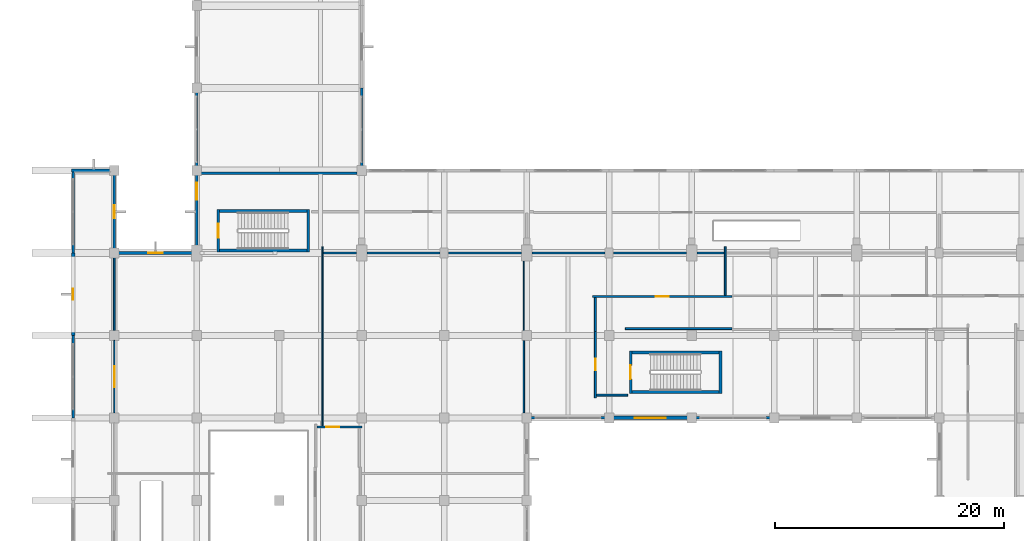
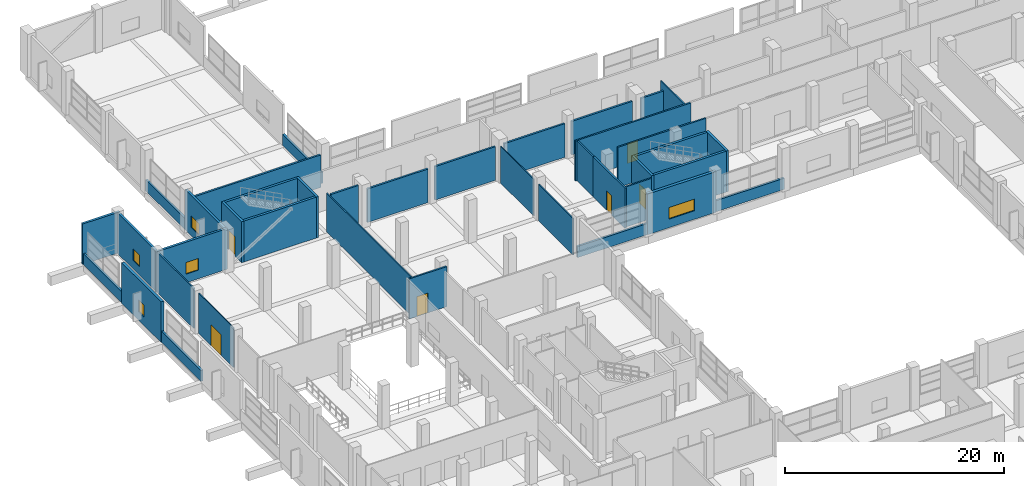
# One storey, part 161 of 181: 39 walls, 6 doors, 5 windows, 11 openings.
"""IFC4 building model written with IfcOpenShell, lengths in metres."""

from ifc_helpers import new_model, si_unit, direction, frame, frame_2d, origin, place, context, subcontext, project, spatial, rectangle, extrude, material, layer, layer_set, type_object, element, fill, save


model = new_model("IFC4")

# Units and contexts
model_context = context("Model", 3, precision=1e-05, world=origin(), true_north=direction((0.0, 1.0)))
body_context = subcontext(model_context, "Body", "Model", "MODEL_VIEW")
ifc_project = project(units=[si_unit("LENGTHUNIT", "METRE"), si_unit("AREAUNIT", "SQUARE_METRE"), si_unit("VOLUMEUNIT", "CUBIC_METRE"), si_unit("PLANEANGLEUNIT", "RADIAN"), si_unit("MASSUNIT", "GRAM", prefix="KILO")], contexts=[model_context])

# Site, building, storey
site_placement = place(None, origin())
site = spatial("IfcSite", under=ifc_project, at=site_placement, CompositionType="ELEMENT")
building_placement = place(site_placement, origin())
building = spatial("IfcBuilding", under=site, at=building_placement, Name="Seraya Terrace Polytechnic", CompositionType="ELEMENT")
storey_placement = place(building_placement, frame((0.0, 0.0, 4.800048828125)))
storey = spatial("IfcBuildingStorey", under=building, at=storey_placement, Name="L01", CompositionType="ELEMENT", Elevation=4.800048828125)

# Wall, opening, window
ifc_material_1 = material(Name="Concrete C40/50", Category="concrete")
ifc_layer_1 = layer(ifc_material_1, 0.300048828125, Name="EW-01")
ifc_layer_set_1 = layer_set([ifc_layer_1], Name="Concrete C40/50")
wall_type_1 = type_object("IfcWallType", Name="EW-01", PredefinedType="SOLIDWALL", material=ifc_layer_set_1)
wall_1_placement = place(storey_placement, frame((3.60009765625, 72.0, 0.0), z_axis=(0.0, 0.0, 1.0), x_axis=(0.0, 1.0, 0.0)))
wall_1 = element("IfcWall", 1, at=wall_1_placement, inside=storey, type_object=wall_type_1, Name="Exterior structural wall EW-01 L01", PredefinedType="SOLIDWALL", context=body_context, shape_type="SweptSolid", body=[
    extrude(rectangle(XDim=7.199951171875, YDim=0.300048828125, at=frame_2d((3.60009765625, 0.0))), origin(), (0.0, 0.0, 1.0), 4.52001953125),
])
opening_1_placement = place(wall_1_placement, frame((3.10009765625, 0.0, 0.949951171875)))
opening_1 = element("IfcOpeningElement", 2, at=opening_1_placement, cuts=wall_1, Name="Opening WN-01", PredefinedType="OPENING", context=body_context, shape_type="SweptSolid", body=[
    extrude(rectangle(XDim=1.0, YDim=1.300048828125, at=frame_2d((0.5, 0.64990234375))), frame((0.0, 0.162109375, 0.0), z_axis=(0.0, -1.0, 0.0), x_axis=(1.0, 0.0, 0.0)), (0.0, 0.0, 1.0), 0.323974609375),
])
ifc_material_2 = material(Name="Laminated solar-control Low-E double glazing", Category="glass")
window_type_1 = type_object("IfcWindowType", Name="WN-01", PartitioningType="SINGLE_PANEL", PredefinedType="WINDOW", material=ifc_material_2)
window_1_placement = place(opening_1_placement, origin())
window_1 = element("IfcWindow", 3, at=window_1_placement, inside=storey, type_object=window_type_1, Name="Exterior window WN-01 L01", OverallHeight=1.300048828125, OverallWidth=1.0, PartitioningType="SINGLE_PANEL", PredefinedType="WINDOW", context=body_context, shape_type="SweptSolid", body=[
    extrude(rectangle(XDim=1.0, YDim=1.300048828125, at=frame_2d((0.5, 0.64990234375))), frame((0.0, 0.030029296875, 0.0), z_axis=(0.0, -1.0, 0.0), x_axis=(1.0, 0.0, 0.0)), (0.0, 0.0, 1.0), 0.06005859375),
])
fill(opening_1, window_1)

wall_2_placement = place(storey_placement, frame((57.60009765625, 64.800048828125, 0.0), z_axis=(0.0, 0.0, 1.0), x_axis=(-1.0, 0.0, 0.0)))
wall_2 = element("IfcWall", 4, at=wall_2_placement, inside=storey, type_object=wall_type_1, Name="Exterior structural wall EW-01 L01", PredefinedType="SOLIDWALL", context=body_context, shape_type="SweptSolid", body=[
    extrude(rectangle(XDim=7.2001953125, YDim=0.300048828125, at=frame_2d((3.60009765625, 0.0))), origin(), (0.0, 0.0, 1.0), 4.52001953125),
])
opening_2_placement = place(wall_2_placement, frame((2.25, 0.0, 0.949951171875)))
opening_2 = element("IfcOpeningElement", 5, at=opening_2_placement, cuts=wall_2, Name="Opening WN-11", PredefinedType="OPENING", context=body_context, shape_type="SweptSolid", body=[
    extrude(rectangle(XDim=2.699951171875, YDim=1.300048828125, at=frame_2d((1.35009765625, 0.64990234375))), frame((0.0, 0.162109375, 0.0), z_axis=(0.0, -1.0, 0.0), x_axis=(1.0, 0.0, 0.0)), (0.0, 0.0, 1.0), 0.323974609375),
])
window_type_2 = type_object("IfcWindowType", Name="WN-11", PartitioningType="SINGLE_PANEL", PredefinedType="WINDOW", material=ifc_material_2)
window_2_placement = place(opening_2_placement, origin())
window_2 = element("IfcWindow", 6, at=window_2_placement, inside=storey, type_object=window_type_2, Name="Exterior window WN-11 L01", OverallHeight=1.300048828125, OverallWidth=2.699951171875, PartitioningType="SINGLE_PANEL", PredefinedType="WINDOW", context=body_context, shape_type="SweptSolid", body=[
    extrude(rectangle(XDim=2.699951171875, YDim=1.300048828125, at=frame_2d((1.35009765625, 0.64990234375))), frame((0.0, 0.030029296875, 0.0), z_axis=(0.0, -1.0, 0.0), x_axis=(1.0, 0.0, 0.0)), (0.0, 0.0, 1.0), 0.06005859375),
])
fill(opening_2, window_2)

# Wall
ifc_layer_2 = layer(ifc_material_1, 0.239990234375, Name="EW-04")
ifc_layer_set_2 = layer_set([ifc_layer_2], Name="Concrete C40/50")
wall_type_2 = type_object("IfcWallType", Name="EW-04", PredefinedType="SOLIDWALL", material=ifc_layer_set_2)
wall_3_placement = place(storey_placement, frame((3.449951171875, 86.39990234375, 0.0), z_axis=(0.0, 0.0, 1.0), x_axis=(1.0, 0.0, 0.0)))
element("IfcWall", 7, at=wall_3_placement, inside=storey, type_object=wall_type_2, Name="Exterior structural wall EW-04 L01", PredefinedType="SOLIDWALL", context=body_context, shape_type="SweptSolid", body=[
    extrude(rectangle(XDim=3.900146484375, YDim=0.239990234375, at=frame_2d((1.9501953125, 0.0))), origin(), (0.0, 0.0, 1.0), 4.52001953125),
])

# Wall, opening, window
wall_4_placement = place(storey_placement, frame((7.199951171875, 86.248046875, 0.0), z_axis=(0.0, 0.0, 1.0), x_axis=(0.0, -1.0, 0.0)))
wall_4 = element("IfcWall", 8, at=wall_4_placement, inside=storey, type_object=wall_type_2, Name="Exterior structural wall EW-04 L01", PredefinedType="SOLIDWALL", context=body_context, shape_type="SweptSolid", body=[
    extrude(rectangle(XDim=6.89599609375, YDim=0.239990234375, at=frame_2d((3.447998046875, 0.0))), origin(), (0.0, 0.0, 1.0), 4.52001953125),
])
opening_3_placement = place(wall_4_placement, frame((2.873046875, 0.0, 0.949951171875)))
opening_3 = element("IfcOpeningElement", 9, at=opening_3_placement, cuts=wall_4, Name="Opening WN-02", PredefinedType="OPENING", context=body_context, shape_type="SweptSolid", body=[
    extrude(rectangle(XDim=1.14990234375, YDim=1.300048828125, at=frame_2d((0.574951171875, 0.64990234375))), frame((0.0, 0.1318359375, 0.0), z_axis=(0.0, -1.0, 0.0), x_axis=(1.0, 0.0, 0.0)), (0.0, 0.0, 1.0), 0.263916015625),
])
window_type_3 = type_object("IfcWindowType", Name="WN-02", PartitioningType="SINGLE_PANEL", PredefinedType="WINDOW", material=ifc_material_2)
window_3_placement = place(opening_3_placement, origin())
window_3 = element("IfcWindow", 10, at=window_3_placement, inside=storey, type_object=window_type_3, Name="Exterior window WN-02 L01", OverallHeight=1.300048828125, OverallWidth=1.14990234375, PartitioningType="SINGLE_PANEL", PredefinedType="WINDOW", context=body_context, shape_type="SweptSolid", body=[
    extrude(rectangle(XDim=1.14990234375, YDim=1.300048828125, at=frame_2d((0.574951171875, 0.64990234375))), frame((0.0, 0.030029296875, 0.0), z_axis=(0.0, -1.0, 0.0), x_axis=(1.0, 0.0, 0.0)), (0.0, 0.0, 1.0), 0.06005859375),
])
fill(opening_3, window_3)

wall_5_placement = place(storey_placement, frame((7.050048828125, 79.199951171875, 0.0), z_axis=(0.0, 0.0, 1.0), x_axis=(1.0, 0.0, 0.0)))
wall_5 = element("IfcWall", 11, at=wall_5_placement, inside=storey, type_object=wall_type_2, Name="Exterior structural wall EW-04 L01", PredefinedType="SOLIDWALL", context=body_context, shape_type="SweptSolid", body=[
    extrude(rectangle(XDim=7.5, YDim=0.239990234375, at=frame_2d((3.75, 0.0))), origin(), (0.0, 0.0, 1.0), 4.52001953125),
])
opening_4_placement = place(wall_5_placement, frame((3.10009765625, 0.0, 0.949951171875)))
opening_4 = element("IfcOpeningElement", 12, at=opening_4_placement, cuts=wall_5, Name="Opening WN-03", PredefinedType="OPENING", context=body_context, shape_type="SweptSolid", body=[
    extrude(rectangle(XDim=1.300048828125, YDim=1.300048828125, at=frame_2d((0.64990234375, 0.64990234375))), frame((0.0, 0.1318359375, 0.0), z_axis=(0.0, -1.0, 0.0), x_axis=(1.0, 0.0, 0.0)), (0.0, 0.0, 1.0), 0.263916015625),
])
window_type_4 = type_object("IfcWindowType", Name="WN-03", PartitioningType="SINGLE_PANEL", PredefinedType="WINDOW", material=ifc_material_2)
window_4_placement = place(opening_4_placement, origin())
window_4 = element("IfcWindow", 13, at=window_4_placement, inside=storey, type_object=window_type_4, Name="Exterior window WN-03 L01", OverallHeight=1.300048828125, OverallWidth=1.300048828125, PartitioningType="SINGLE_PANEL", PredefinedType="WINDOW", context=body_context, shape_type="SweptSolid", body=[
    extrude(rectangle(XDim=1.300048828125, YDim=1.300048828125, at=frame_2d((0.64990234375, 0.64990234375))), frame((0.0, 0.030029296875, 0.0), z_axis=(0.0, -1.0, 0.0), x_axis=(1.0, 0.0, 0.0)), (0.0, 0.0, 1.0), 0.06005859375),
])
fill(opening_4, window_4)

wall_6_placement = place(storey_placement, frame((14.39990234375, 79.35205078125, 0.0), z_axis=(0.0, 0.0, 1.0), x_axis=(0.0, 1.0, 0.0)))
wall_6 = element("IfcWall", 14, at=wall_6_placement, inside=storey, type_object=wall_type_2, Name="Exterior structural wall EW-04 L01", PredefinedType="SOLIDWALL", context=body_context, shape_type="SweptSolid", body=[
    extrude(rectangle(XDim=7.0478515625, YDim=0.239990234375, at=frame_2d((3.52392578125, 0.0))), origin(), (0.0, 0.0, 1.0), 4.52001953125),
])
opening_5_placement = place(wall_6_placement, frame((4.512939453125, 0.0, 0.949951171875)))
opening_5 = element("IfcOpeningElement", 15, at=opening_5_placement, cuts=wall_6, Name="Opening WN-04", PredefinedType="OPENING", context=body_context, shape_type="SweptSolid", body=[
    extrude(rectangle(XDim=1.449951171875, YDim=1.300048828125, at=frame_2d((0.72509765625, 0.64990234375))), frame((0.0, 0.1318359375, 0.0), z_axis=(0.0, -1.0, 0.0), x_axis=(1.0, 0.0, 0.0)), (0.0, 0.0, 1.0), 0.263916015625),
])
window_type_5 = type_object("IfcWindowType", Name="WN-04", PartitioningType="SINGLE_PANEL", PredefinedType="WINDOW", material=ifc_material_2)
window_5_placement = place(opening_5_placement, origin())
window_5 = element("IfcWindow", 16, at=window_5_placement, inside=storey, type_object=window_type_5, Name="Exterior window WN-04 L01", OverallHeight=1.300048828125, OverallWidth=1.449951171875, PartitioningType="SINGLE_PANEL", PredefinedType="WINDOW", context=body_context, shape_type="SweptSolid", body=[
    extrude(rectangle(XDim=1.449951171875, YDim=1.300048828125, at=frame_2d((0.72509765625, 0.64990234375))), frame((0.0, 0.030029296875, 0.0), z_axis=(0.0, -1.0, 0.0), x_axis=(1.0, 0.0, 0.0)), (0.0, 0.0, 1.0), 0.06005859375),
])
fill(opening_5, window_5)

# Walls
ifc_material_3 = material(Name="Precast concrete C40/50", Category="concrete")
ifc_layer_3 = layer(ifc_material_3, 0.219970703125, Name="EW-05")
ifc_layer_set_3 = layer_set([ifc_layer_3], Name="Precast concrete C40/50")
wall_type_3 = type_object("IfcWallType", Name="EW-05", PredefinedType="SOLIDWALL", material=ifc_layer_set_3)
wall_7_placement = place(storey_placement, frame((3.60009765625, 64.800048828125, 0.0), z_axis=(0.0, 0.0, 1.0), x_axis=(0.0, 1.0, 0.0)))
element("IfcWall", 17, at=wall_7_placement, inside=storey, type_object=wall_type_3, Name="Precast spandrel wall L01", PredefinedType="SOLIDWALL", context=body_context, shape_type="SweptSolid", body=[
    extrude(rectangle(XDim=7.199951171875, YDim=0.219970703125, at=frame_2d((3.60009765625, 0.0))), origin(), (0.0, 0.0, 1.0), 1.239990234375),
])
wall_8_placement = place(storey_placement, frame((3.60009765625, 79.199951171875, 0.0), z_axis=(0.0, 0.0, 1.0), x_axis=(0.0, 1.0, 0.0)))
element("IfcWall", 18, at=wall_8_placement, inside=storey, type_object=wall_type_3, Name="Precast spandrel wall L01", PredefinedType="SOLIDWALL", context=body_context, shape_type="SweptSolid", body=[
    extrude(rectangle(XDim=7.048095703125, YDim=0.219970703125, at=frame_2d((3.52392578125, 0.0))), origin(), (0.0, 0.0, 1.0), 1.239990234375),
])
wall_9_placement = place(storey_placement, frame((14.39990234375, 86.39990234375, 0.0), z_axis=(0.0, 0.0, 1.0), x_axis=(0.0, 1.0, 0.0)))
element("IfcWall", 19, at=wall_9_placement, inside=storey, type_object=wall_type_3, Name="Precast spandrel wall L01", PredefinedType="SOLIDWALL", context=body_context, shape_type="SweptSolid", body=[
    extrude(rectangle(XDim=7.2001953125, YDim=0.219970703125, at=frame_2d((3.60009765625, 0.0))), origin(), (0.0, 0.0, 1.0), 1.239990234375),
])
wall_10_placement = place(storey_placement, frame((28.800048828125, 93.60009765625, 0.0), z_axis=(0.0, 0.0, 1.0), x_axis=(0.0, -1.0, 0.0)))
element("IfcWall", 20, at=wall_10_placement, inside=storey, type_object=wall_type_3, Name="Precast spandrel wall L01", PredefinedType="SOLIDWALL", context=body_context, shape_type="SweptSolid", body=[
    extrude(rectangle(XDim=7.048095703125, YDim=0.219970703125, at=frame_2d((3.52392578125, 0.0))), origin(), (0.0, 0.0, 1.0), 1.239990234375),
])
wall_11_placement = place(storey_placement, frame((64.800048828125, 64.800048828125, 0.0), z_axis=(0.0, 0.0, 1.0), x_axis=(-1.0, 0.0, 0.0)))
element("IfcWall", 21, at=wall_11_placement, inside=storey, type_object=wall_type_3, Name="Precast spandrel wall L01", PredefinedType="SOLIDWALL", context=body_context, shape_type="SweptSolid", body=[
    extrude(rectangle(XDim=7.199951171875, YDim=0.219970703125, at=frame_2d((3.60009765625, 0.0))), origin(), (0.0, 0.0, 1.0), 1.239990234375),
])
wall_12_placement = place(storey_placement, frame((50.39990234375, 64.800048828125, 0.0), z_axis=(0.0, 0.0, 1.0), x_axis=(-1.0, 0.0, 0.0)))
element("IfcWall", 22, at=wall_12_placement, inside=storey, type_object=wall_type_3, Name="Precast spandrel wall L01", PredefinedType="SOLIDWALL", context=body_context, shape_type="SweptSolid", body=[
    extrude(rectangle(XDim=7.349853515625, YDim=0.219970703125, at=frame_2d((3.6748046875, 0.0))), origin(), (0.0, 0.0, 1.0), 1.239990234375),
])
ifc_material_4 = material(Name="Autoclaved aerated concrete blockwork", Category="masonry")
ifc_layer_4 = layer(ifc_material_4, 0.199951171875, Name="PT-01")
ifc_layer_set_4 = layer_set([ifc_layer_4], Name="Autoclaved aerated concrete blockwork")
wall_type_4 = type_object("IfcWallType", Name="PT-01", PredefinedType="PARTITIONING", material=ifc_layer_set_4)
wall_13_placement = place(storey_placement, frame((14.531982421875, 86.14990234375, 0.0), z_axis=(0.0, 0.0, 1.0), x_axis=(1.0, 0.0, 0.0)))
element("IfcWall", 23, at=wall_13_placement, inside=storey, type_object=wall_type_4, Name="Internal partition PT-01 L01", PredefinedType="PARTITIONING", context=body_context, shape_type="SweptSolid", body=[
    extrude(rectangle(XDim=13.8330078125, YDim=0.199951171875, at=frame_2d((6.91650390625, 0.0))), origin(), (0.0, 0.0, 1.0), 3.6298828125),
])
for number, where, z_axis, x_axis, name in (
    (24, (36.360107421875, 79.199951171875, 0.0), (0.0, 0.0, 1.0), (1.0, 0.0, 0.0), "Internal partition PT-01 L01"),
    (25, (29.260009765625, 79.199951171875, 0.0), (0.0, 0.0, 1.0), (1.0, 0.0, 0.0), "Internal partition PT-01 L01"),
):
    element("IfcWall", number, at=place(storey_placement, frame(where, z_axis=z_axis, x_axis=x_axis)), inside=storey, type_object=wall_type_4, Name=name, PredefinedType="PARTITIONING", context=body_context, shape_type="SweptSolid", body=[
        extrude(rectangle(XDim=6.3798828125, YDim=0.199951171875, at=frame_2d((3.18994140625, 0.0))), origin(), (0.0, 0.0, 1.0), 3.72998046875),
    ])
wall_14_placement = place(storey_placement, frame((25.45068359375, 79.199951171875, 0.0), z_axis=(0.0, 0.0, 1.0), x_axis=(1.0, 0.0, 0.0)))
element("IfcWall", 26, at=wall_14_placement, inside=storey, type_object=wall_type_4, Name="Internal partition PT-01 L01", PredefinedType="PARTITIONING", context=body_context, shape_type="SweptSolid", body=[
    extrude(rectangle(XDim=2.889404296875, YDim=0.199951171875, at=frame_2d((1.44482421875, 0.0))), origin(), (0.0, 0.0, 1.0), 4.4599609375),
])
wall_15_placement = place(storey_placement, frame((50.760009765625, 79.199951171875, 0.0), z_axis=(0.0, 0.0, 1.0), x_axis=(1.0, 0.0, 0.0)))
element("IfcWall", 27, at=wall_15_placement, inside=storey, type_object=wall_type_4, Name="Internal partition PT-01 L01", PredefinedType="PARTITIONING", context=body_context, shape_type="SweptSolid", body=[
    extrude(rectangle(XDim=6.3798828125, YDim=0.199951171875, at=frame_2d((3.18994140625, 0.0))), origin(), (0.0, 0.0, 1.0), 3.72998046875),
])
wall_16_placement = place(storey_placement, frame((43.659912109375, 79.199951171875, 0.0), z_axis=(0.0, 0.0, 1.0), x_axis=(1.0, 0.0, 0.0)))
element("IfcWall", 28, at=wall_16_placement, inside=storey, type_object=wall_type_4, Name="Internal partition PT-01 L01", PredefinedType="PARTITIONING", context=body_context, shape_type="SweptSolid", body=[
    extrude(rectangle(XDim=6.380126953125, YDim=0.199951171875, at=frame_2d((3.18994140625, 0.0))), origin(), (0.0, 0.0, 1.0), 3.72998046875),
])
wall_17_placement = place(storey_placement, frame((58.06005859375, 79.199951171875, 0.0), z_axis=(0.0, 0.0, 1.0), x_axis=(1.0, 0.0, 0.0)))
element("IfcWall", 29, at=wall_17_placement, inside=storey, type_object=wall_type_4, Name="Internal partition PT-01 L01", PredefinedType="PARTITIONING", context=body_context, shape_type="SweptSolid", body=[
    extrude(rectangle(XDim=2.376708984375, YDim=0.199951171875, at=frame_2d((1.1884765625, 0.0))), origin(), (0.0, 0.0, 1.0), 3.72998046875),
])

# Wall, opening, door
ifc_layer_5 = layer(ifc_material_4, 0.169921875, Name="PT-02")
ifc_layer_set_5 = layer_set([ifc_layer_5], Name="Autoclaved aerated concrete blockwork")
wall_type_5 = type_object("IfcWallType", Name="PT-02", PredefinedType="PARTITIONING", material=ifc_layer_set_5)
wall_18_placement = place(storey_placement, frame((48.9599609375, 75.39990234375, 0.0), z_axis=(0.0, 0.0, 1.0), x_axis=(1.0, 0.0, 0.0)))
wall_18 = element("IfcWall", 30, at=wall_18_placement, inside=storey, type_object=wall_type_5, Name="Internal partition PT-02 L01", PredefinedType="PARTITIONING", context=body_context, shape_type="SweptSolid", body=[
    extrude(rectangle(XDim=12.13818359375, YDim=0.169921875, at=frame_2d((6.069091796875, 0.0))), origin(), (0.0, 0.0, 1.0), 4.4599609375),
])
opening_6_placement = place(wall_18_placement, frame((5.4990234375, 0.0, 0.0)))
opening_6 = element("IfcOpeningElement", 31, at=opening_6_placement, cuts=wall_18, Name="Opening ID-06", PredefinedType="OPENING", context=body_context, shape_type="SweptSolid", body=[
    extrude(rectangle(XDim=1.139892578125, YDim=2.199951171875, at=frame_2d((0.56982421875, 1.10009765625))), frame((0.0, 0.096923828125, 0.0), z_axis=(0.0, -1.0, 0.0), x_axis=(1.0, 0.0, 0.0)), (0.0, 0.0, 1.0), 0.19384765625),
])
ifc_material_5 = material(Name="Malaysian dark red meranti hardwood timber D40", Category="wood")
door_type_1 = type_object("IfcDoorType", Name="ID-06", OperationType="NOTDEFINED", PredefinedType="DOOR", material=ifc_material_5)
door_1_placement = place(opening_6_placement, frame((1.139892578125, 0.0, 0.0), z_axis=(0.0, 0.0, 1.0), x_axis=(-1.0, 0.0, 0.0)))
door_1 = element("IfcDoor", 32, at=door_1_placement, inside=storey, type_object=door_type_1, Name="Door ID-06 DR-INT-L01-0083 in WL-INT-L01-0285", OperationType="SINGLE_SWING_RIGHT", OverallHeight=2.199951171875, OverallWidth=1.139892578125, PredefinedType="DOOR", context=body_context, shape_type="SweptSolid", body=[
    extrude(rectangle(XDim=1.139892578125, YDim=2.199951171875, at=frame_2d((0.56982421875, 1.10009765625))), frame((0.0, 0.02490234375, 0.0), z_axis=(0.0, -1.0, 0.0), x_axis=(1.0, 0.0, 0.0)), (0.0, 0.0, 1.0), 0.050048828125),
])
fill(opening_6, door_1)

# Walls
wall_19_placement = place(storey_placement, frame((51.818603515625, 72.60009765625, 0.0), z_axis=(0.0, 0.0, 1.0), x_axis=(1.0, 0.0, 0.0)))
element("IfcWall", 33, at=wall_19_placement, inside=storey, type_object=wall_type_5, Name="Internal partition PT-02 L01", PredefinedType="PARTITIONING", context=body_context, shape_type="SweptSolid", body=[
    extrude(rectangle(XDim=9.279541015625, YDim=0.169921875, at=frame_2d((4.6396484375, 0.0))), origin(), (0.0, 0.0, 1.0), 4.4599609375),
])
wall_20_placement = place(storey_placement, frame((49.199951171875, 72.360107421875, 0.0), z_axis=(0.0, 0.0, 1.0), x_axis=(0.0, 1.0, 0.0)))
element("IfcWall", 34, at=wall_20_placement, inside=storey, type_object=wall_type_5, Name="Internal partition PT-02 L01", PredefinedType="PARTITIONING", context=body_context, shape_type="SweptSolid", body=[
    extrude(rectangle(XDim=2.93994140625, YDim=0.169921875, at=frame_2d((1.469970703125, 0.0))), origin(), (0.0, 0.0, 1.0), 4.4599609375),
])

# Wall, opening, door
wall_21_placement = place(storey_placement, frame((49.199951171875, 66.56005859375, 0.0), z_axis=(0.0, 0.0, 1.0), x_axis=(0.0, 1.0, 0.0)))
wall_21 = element("IfcWall", 35, at=wall_21_placement, inside=storey, type_object=wall_type_5, Name="Internal partition PT-02 L01", PredefinedType="PARTITIONING", context=body_context, shape_type="SweptSolid", body=[
    extrude(rectangle(XDim=5.800048828125, YDim=0.169921875, at=frame_2d((2.89990234375, 0.0))), origin(), (0.0, 0.0, 1.0), 4.4599609375),
])
opening_7_placement = place(wall_21_placement, frame((2.409912109375, 0.0, 0.0)))
opening_7 = element("IfcOpeningElement", 36, at=opening_7_placement, cuts=wall_21, Name="Opening ID-03", PredefinedType="OPENING", context=body_context, shape_type="SweptSolid", body=[
    extrude(rectangle(XDim=0.97998046875, YDim=2.139892578125, at=frame_2d((0.489990234375, 1.06982421875))), frame((0.0, 0.096923828125, 0.0), z_axis=(0.0, -1.0, 0.0), x_axis=(1.0, 0.0, 0.0)), (0.0, 0.0, 1.0), 0.19384765625),
])
door_type_2 = type_object("IfcDoorType", Name="ID-03", OperationType="NOTDEFINED", PredefinedType="DOOR", material=ifc_material_5)
door_2_placement = place(opening_7_placement, origin())
door_2 = element("IfcDoor", 37, at=door_2_placement, inside=storey, type_object=door_type_2, Name="Door ID-03 DR-INT-L01-0096 in WL-INT-L01-0292", OperationType="SINGLE_SWING_LEFT", OverallHeight=2.139892578125, OverallWidth=0.97998046875, PredefinedType="DOOR", context=body_context, shape_type="SweptSolid", body=[
    extrude(rectangle(XDim=0.97998046875, YDim=2.139892578125, at=frame_2d((0.489990234375, 1.06982421875))), frame((0.0, 0.02490234375, 0.0), z_axis=(0.0, -1.0, 0.0), x_axis=(1.0, 0.0, 0.0)), (0.0, 0.0, 1.0), 0.050048828125),
])
fill(opening_7, door_2)

# Wall
wall_22_placement = place(storey_placement, frame((49.300048828125, 66.800048828125, 0.0), z_axis=(0.0, 0.0, 1.0), x_axis=(1.0, 0.0, 0.0)))
element("IfcWall", 38, at=wall_22_placement, inside=storey, type_object=wall_type_5, Name="Internal partition PT-02 L01", PredefinedType="PARTITIONING", context=body_context, shape_type="SweptSolid", body=[
    extrude(rectangle(XDim=2.709716796875, YDim=0.169921875, at=frame_2d((1.35498046875, 0.0))), origin(), (0.0, 0.0, 1.0), 4.4599609375),
])

# Wall, opening, door
wall_23_placement = place(storey_placement, frame((24.89990234375, 64.0, 0.0), z_axis=(0.0, 0.0, 1.0), x_axis=(1.0, 0.0, 0.0)))
wall_23 = element("IfcWall", 39, at=wall_23_placement, inside=storey, type_object=wall_type_5, Name="Internal partition PT-02 L01", PredefinedType="PARTITIONING", context=body_context, shape_type="SweptSolid", body=[
    extrude(rectangle(XDim=3.940185546875, YDim=0.169921875, at=frame_2d((1.97021484375, 0.0))), origin(), (0.0, 0.0, 1.0), 4.4599609375),
])
opening_8_placement = place(wall_23_placement, frame((0.800048828125, 0.0, 0.0)))
opening_8 = element("IfcOpeningElement", 40, at=opening_8_placement, cuts=wall_23, Name="Opening ID-06", PredefinedType="OPENING", context=body_context, shape_type="SweptSolid", body=[
    extrude(rectangle(XDim=1.139892578125, YDim=2.199951171875, at=frame_2d((0.56982421875, 1.10009765625))), frame((0.0, 0.096923828125, 0.0), z_axis=(0.0, -1.0, 0.0), x_axis=(1.0, 0.0, 0.0)), (0.0, 0.0, 1.0), 0.19384765625),
])
door_3_placement = place(opening_8_placement, frame((1.139892578125, 0.0, 0.0), z_axis=(0.0, 0.0, 1.0), x_axis=(-1.0, 0.0, 0.0)))
door_3 = element("IfcDoor", 41, at=door_3_placement, inside=storey, type_object=door_type_1, Name="Door ID-06 DR-INT-L01-0099 in WL-INT-L01-0308", OperationType="SINGLE_SWING_RIGHT", OverallHeight=2.199951171875, OverallWidth=1.139892578125, PredefinedType="DOOR", context=body_context, shape_type="SweptSolid", body=[
    extrude(rectangle(XDim=1.139892578125, YDim=2.199951171875, at=frame_2d((0.56982421875, 1.10009765625))), frame((0.0, 0.02490234375, 0.0), z_axis=(0.0, -1.0, 0.0), x_axis=(1.0, 0.0, 0.0)), (0.0, 0.0, 1.0), 0.050048828125),
])
fill(opening_8, door_3)

# Walls
ifc_layer_6 = layer(ifc_material_4, 0.14990234375, Name="PT-03")
ifc_layer_set_6 = layer_set([ifc_layer_6], Name="Autoclaved aerated concrete blockwork")
wall_type_6 = type_object("IfcWallType", Name="PT-03", PredefinedType="PARTITIONING", material=ifc_layer_set_6)
wall_24_placement = place(storey_placement, frame((7.199951171875, 72.43505859375, 0.0), z_axis=(0.0, 0.0, 1.0), x_axis=(0.0, 1.0, 0.0)))
element("IfcWall", 42, at=wall_24_placement, inside=storey, type_object=wall_type_6, Name="Internal partition PT-03 L01", PredefinedType="PARTITIONING", context=body_context, shape_type="SweptSolid", body=[
    extrude(rectangle(XDim=6.633056640625, YDim=0.14990234375, at=frame_2d((3.31640625, 0.0))), origin(), (0.0, 0.0, 1.0), 4.4599609375),
])
wall_25_placement = place(storey_placement, frame((60.526611328125, 75.5, 0.0), z_axis=(0.0, 0.0, 1.0), x_axis=(0.0, 1.0, 0.0)))
element("IfcWall", 43, at=wall_25_placement, inside=storey, type_object=wall_type_6, Name="Internal partition PT-03 L01", PredefinedType="PARTITIONING", context=body_context, shape_type="SweptSolid", body=[
    extrude(rectangle(XDim=4.260009765625, YDim=0.14990234375, at=frame_2d((2.1298828125, 0.0))), origin(), (0.0, 0.0, 1.0), 4.4599609375),
])
ifc_layer_7 = layer(ifc_material_4, 0.1201171875, Name="PT-05")
ifc_layer_set_7 = layer_set([ifc_layer_7], Name="Autoclaved aerated concrete blockwork")
wall_type_7 = type_object("IfcWallType", Name="PT-05", PredefinedType="PARTITIONING", material=ifc_layer_set_7)
wall_26_placement = place(storey_placement, frame((25.37548828125, 64.10009765625, 0.0), z_axis=(0.0, 0.0, 1.0), x_axis=(0.0, 1.0, 0.0)))
element("IfcWall", 44, at=wall_26_placement, inside=storey, type_object=wall_type_7, Name="Internal partition PT-05 L01", PredefinedType="PARTITIONING", context=body_context, shape_type="SweptSolid", body=[
    extrude(rectangle(XDim=15.659912109375, YDim=0.1201171875, at=frame_2d((7.830078125, 0.0))), origin(), (0.0, 0.0, 1.0), 4.280029296875),
])
wall_27_placement = place(storey_placement, frame((42.951171875, 65.235107421875, 0.0), z_axis=(0.0, 0.0, 1.0), x_axis=(0.0, 1.0, 0.0)))
element("IfcWall", 45, at=wall_27_placement, inside=storey, type_object=wall_type_7, Name="Internal partition PT-05 L01", PredefinedType="PARTITIONING", context=body_context, shape_type="SweptSolid", body=[
    extrude(rectangle(XDim=6.329833984375, YDim=0.1201171875, at=frame_2d((3.1650390625, 0.0))), origin(), (0.0, 0.0, 1.0), 4.079833984375),
])

# Wall, opening, door
ifc_layer_8 = layer(ifc_material_4, 0.10009765625, Name="PT-06")
ifc_layer_set_8 = layer_set([ifc_layer_8], Name="Autoclaved aerated concrete blockwork")
wall_type_8 = type_object("IfcWallType", Name="PT-06", PredefinedType="PARTITIONING", material=ifc_layer_set_8)
wall_28_placement = place(storey_placement, frame((7.199951171875, 65.235107421875, 0.0), z_axis=(0.0, 0.0, 1.0), x_axis=(0.0, 1.0, 0.0)))
wall_28 = element("IfcWall", 46, at=wall_28_placement, inside=storey, type_object=wall_type_8, Name="Internal partition PT-06 L01", PredefinedType="PARTITIONING", context=body_context, shape_type="SweptSolid", body=[
    extrude(rectangle(XDim=6.329833984375, YDim=0.10009765625, at=frame_2d((3.1650390625, 0.0))), origin(), (0.0, 0.0, 1.0), 4.4599609375),
])
opening_9_placement = place(wall_28_placement, frame((2.2451171875, 0.0, 0.0)))
opening_9 = element("IfcOpeningElement", 47, at=opening_9_placement, cuts=wall_28, Name="Opening ID-15", PredefinedType="OPENING", context=body_context, shape_type="SweptSolid", body=[
    extrude(rectangle(XDim=1.840087890625, YDim=2.300048828125, at=frame_2d((0.919921875, 1.14990234375))), frame((0.0, 0.06201171875, 0.0), z_axis=(0.0, -1.0, 0.0), x_axis=(1.0, 0.0, 0.0)), (0.0, 0.0, 1.0), 0.1240234375),
])
door_type_3 = type_object("IfcDoorType", Name="ID-15", OperationType="DOUBLE_DOOR_SINGLE_SWING", PredefinedType="DOOR", material=ifc_material_5)
door_4_placement = place(opening_9_placement, origin())
door_4 = element("IfcDoor", 48, at=door_4_placement, inside=storey, type_object=door_type_3, Name="Door ID-15 DR-INT-L01-0092 in WL-INT-L01-0339", OperationType="DOUBLE_DOOR_SINGLE_SWING", OverallHeight=2.300048828125, OverallWidth=1.840087890625, PredefinedType="DOOR", context=body_context, shape_type="SweptSolid", body=[
    extrude(rectangle(XDim=1.840087890625, YDim=2.300048828125, at=frame_2d((0.919921875, 1.14990234375))), frame((0.0, 0.02490234375, 0.0), z_axis=(0.0, -1.0, 0.0), x_axis=(1.0, 0.0, 0.0)), (0.0, 0.0, 1.0), 0.050048828125),
])
fill(opening_9, door_4)

# Wall
wall_29_placement = place(storey_placement, frame((42.951171875, 72.43505859375, 0.0), z_axis=(0.0, 0.0, 1.0), x_axis=(0.0, 1.0, 0.0)))
element("IfcWall", 49, at=wall_29_placement, inside=storey, type_object=wall_type_8, Name="Internal partition PT-06 L01", PredefinedType="PARTITIONING", context=body_context, shape_type="SweptSolid", body=[
    extrude(rectangle(XDim=6.054931640625, YDim=0.10009765625, at=frame_2d((3.02734375, 0.0))), origin(), (0.0, 0.0, 1.0), 4.079833984375),
])

# Wall, opening, door
ifc_layer_9 = layer(ifc_material_1, 0.25, Name="SW-02")
ifc_layer_set_9 = layer_set([ifc_layer_9], Name="Concrete C40/50")
wall_type_9 = type_object("IfcWallType", Name="SW-02", PredefinedType="SHEAR", material=ifc_layer_set_9)
wall_30_placement = place(storey_placement, frame((52.27490234375, 66.949951171875, 0.0), z_axis=(0.0, 0.0, 1.0), x_axis=(0.0, 1.0, 0.0)))
wall_30 = element("IfcWall", 50, at=wall_30_placement, inside=storey, type_object=wall_type_9, Name="Stairwell ST-06 West wall L01", PredefinedType="SHEAR", context=body_context, shape_type="SweptSolid", body=[
    extrude(rectangle(XDim=3.699951171875, YDim=0.25, at=frame_2d((1.85009765625, 0.0))), origin(), (0.0, 0.0, 1.0), 4.550048828125),
])
opening_10_placement = place(wall_30_placement, frame((1.25, 0.0, 0.0)))
opening_10 = element("IfcOpeningElement", 51, at=opening_10_placement, cuts=wall_30, Name="Opening FD-01", PredefinedType="OPENING", context=body_context, shape_type="SweptSolid", body=[
    extrude(rectangle(XDim=1.199951171875, YDim=2.14990234375, at=frame_2d((0.60009765625, 1.074951171875))), frame((0.0, 0.136962890625, 0.0), z_axis=(0.0, -1.0, 0.0), x_axis=(1.0, 0.0, 0.0)), (0.0, 0.0, 1.0), 0.27392578125),
])
ifc_material_6 = material(Name="Steel S355J2", Category="steel")
door_type_4 = type_object("IfcDoorType", Name="FD-01", OperationType="NOTDEFINED", PredefinedType="DOOR", material=ifc_material_6)
door_5_placement = place(opening_10_placement, frame((1.199951171875, 0.0, 0.0), z_axis=(0.0, 0.0, 1.0), x_axis=(-1.0, 0.0, 0.0)))
door_5 = element("IfcDoor", 52, at=door_5_placement, inside=storey, type_object=door_type_4, Name="Door FD-01 DR-STR-ST-06-L01 in WL-STR-ST-06-L01-W", OperationType="SINGLE_SWING_RIGHT", OverallHeight=2.14990234375, OverallWidth=1.199951171875, PredefinedType="DOOR", context=body_context, shape_type="SweptSolid", body=[
    extrude(rectangle(XDim=1.199951171875, YDim=2.14990234375, at=frame_2d((0.60009765625, 1.074951171875))), frame((0.0, 0.02490234375, 0.0), z_axis=(0.0, -1.0, 0.0), x_axis=(1.0, 0.0, 0.0)), (0.0, 0.0, 1.0), 0.050048828125),
])
fill(opening_10, door_5)

# Walls
wall_31_placement = place(storey_placement, frame((60.125, 66.949951171875, 0.0), z_axis=(0.0, 0.0, 1.0), x_axis=(0.0, 1.0, 0.0)))
element("IfcWall", 53, at=wall_31_placement, inside=storey, type_object=wall_type_9, Name="Stairwell ST-06 East wall L01", PredefinedType="SHEAR", context=body_context, shape_type="SweptSolid", body=[
    extrude(rectangle(XDim=3.699951171875, YDim=0.25, at=frame_2d((1.85009765625, 0.0))), origin(), (0.0, 0.0, 1.0), 4.550048828125),
])
for number, where, z_axis, x_axis, name in (
    (54, (52.39990234375, 67.074951171875, 0.0), (0.0, 0.0, 1.0), (1.0, 0.0, 0.0), "Stairwell ST-06 South wall L01"),
    (55, (52.39990234375, 70.52490234375, 0.0), (0.0, 0.0, 1.0), (1.0, 0.0, 0.0), "Stairwell ST-06 North wall L01"),
):
    element("IfcWall", number, at=place(storey_placement, frame(where, z_axis=z_axis, x_axis=x_axis)), inside=storey, type_object=wall_type_9, Name=name, PredefinedType="SHEAR", context=body_context, shape_type="SweptSolid", body=[
        extrude(rectangle(XDim=7.60009765625, YDim=0.25, at=frame_2d((3.800048828125, 0.0))), origin(), (0.0, 0.0, 1.0), 4.550048828125),
    ])

# Wall, opening, door
wall_32_placement = place(storey_placement, frame((16.27490234375, 79.300048828125, 0.0), z_axis=(0.0, 0.0, 1.0), x_axis=(0.0, 1.0, 0.0)))
wall_32 = element("IfcWall", 56, at=wall_32_placement, inside=storey, type_object=wall_type_9, Name="Stairwell ST-07 West wall L01", PredefinedType="SHEAR", context=body_context, shape_type="SweptSolid", body=[
    extrude(rectangle(XDim=3.699951171875, YDim=0.25, at=frame_2d((1.85009765625, 0.0))), origin(), (0.0, 0.0, 1.0), 4.550048828125),
])
opening_11_placement = place(wall_32_placement, frame((1.25, 0.0, 0.0)))
opening_11 = element("IfcOpeningElement", 57, at=opening_11_placement, cuts=wall_32, Name="Opening FD-01", PredefinedType="OPENING", context=body_context, shape_type="SweptSolid", body=[
    extrude(rectangle(XDim=1.199951171875, YDim=2.14990234375, at=frame_2d((0.60009765625, 1.074951171875))), frame((0.0, 0.136962890625, 0.0), z_axis=(0.0, -1.0, 0.0), x_axis=(1.0, 0.0, 0.0)), (0.0, 0.0, 1.0), 0.27392578125),
])
door_6_placement = place(opening_11_placement, frame((1.199951171875, 0.0, 0.0), z_axis=(0.0, 0.0, 1.0), x_axis=(-1.0, 0.0, 0.0)))
door_6 = element("IfcDoor", 58, at=door_6_placement, inside=storey, type_object=door_type_4, Name="Door FD-01 DR-STR-ST-07-L01 in WL-STR-ST-07-L01-W", OperationType="SINGLE_SWING_RIGHT", OverallHeight=2.14990234375, OverallWidth=1.199951171875, PredefinedType="DOOR", context=body_context, shape_type="SweptSolid", body=[
    extrude(rectangle(XDim=1.199951171875, YDim=2.14990234375, at=frame_2d((0.60009765625, 1.074951171875))), frame((0.0, 0.02490234375, 0.0), z_axis=(0.0, -1.0, 0.0), x_axis=(1.0, 0.0, 0.0)), (0.0, 0.0, 1.0), 0.050048828125),
])
fill(opening_11, door_6)

# Walls
wall_33_placement = place(storey_placement, frame((24.125, 79.300048828125, 0.0), z_axis=(0.0, 0.0, 1.0), x_axis=(0.0, 1.0, 0.0)))
element("IfcWall", 59, at=wall_33_placement, inside=storey, type_object=wall_type_9, Name="Stairwell ST-07 East wall L01", PredefinedType="SHEAR", context=body_context, shape_type="SweptSolid", body=[
    extrude(rectangle(XDim=3.699951171875, YDim=0.25, at=frame_2d((1.85009765625, 0.0))), origin(), (0.0, 0.0, 1.0), 4.550048828125),
])
for number, where, z_axis, x_axis, name in (
    (60, (16.39990234375, 79.425048828125, 0.0), (0.0, 0.0, 1.0), (1.0, 0.0, 0.0), "Stairwell ST-07 South wall L01"),
    (61, (16.39990234375, 82.875, 0.0), (0.0, 0.0, 1.0), (1.0, 0.0, 0.0), "Stairwell ST-07 North wall L01"),
):
    element("IfcWall", number, at=place(storey_placement, frame(where, z_axis=z_axis, x_axis=x_axis)), inside=storey, type_object=wall_type_9, Name=name, PredefinedType="SHEAR", context=body_context, shape_type="SweptSolid", body=[
        extrude(rectangle(XDim=7.60009765625, YDim=0.25, at=frame_2d((3.800048828125, 0.0))), origin(), (0.0, 0.0, 1.0), 4.550048828125),
    ])

save(model, "model.ifc")
